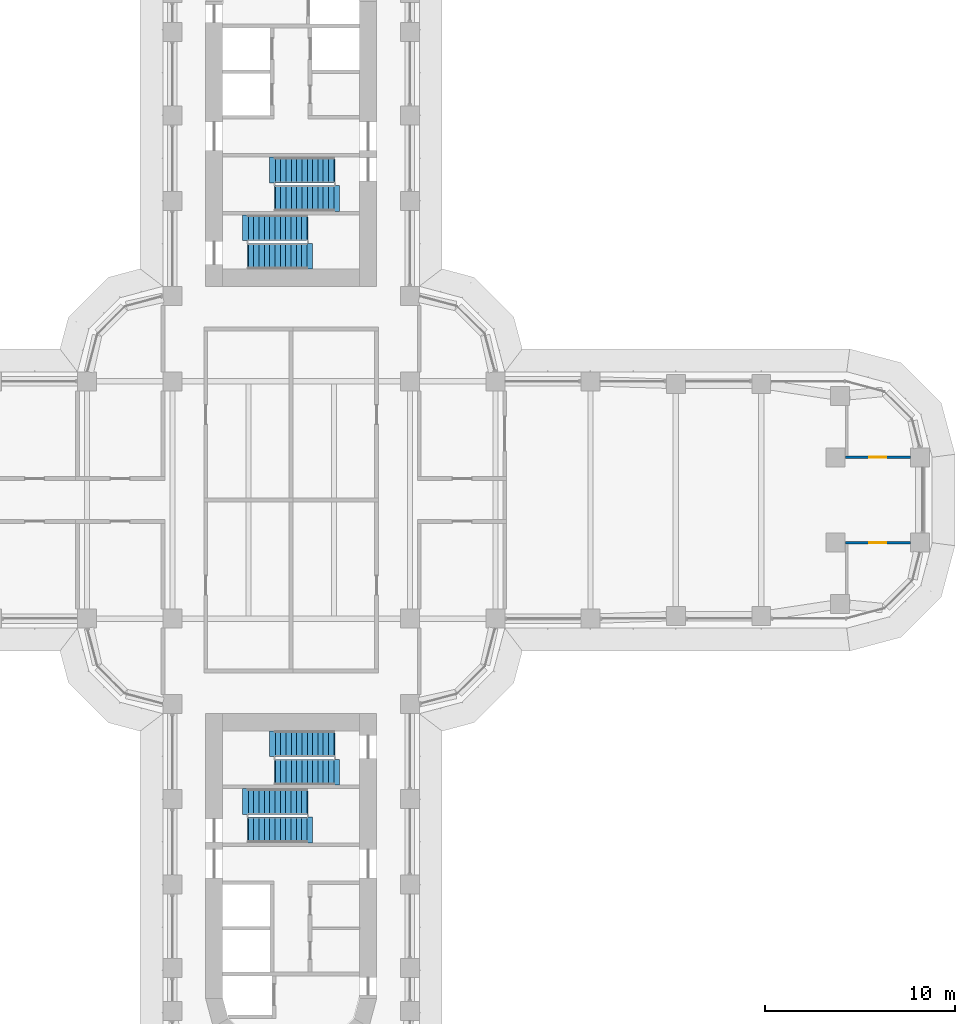
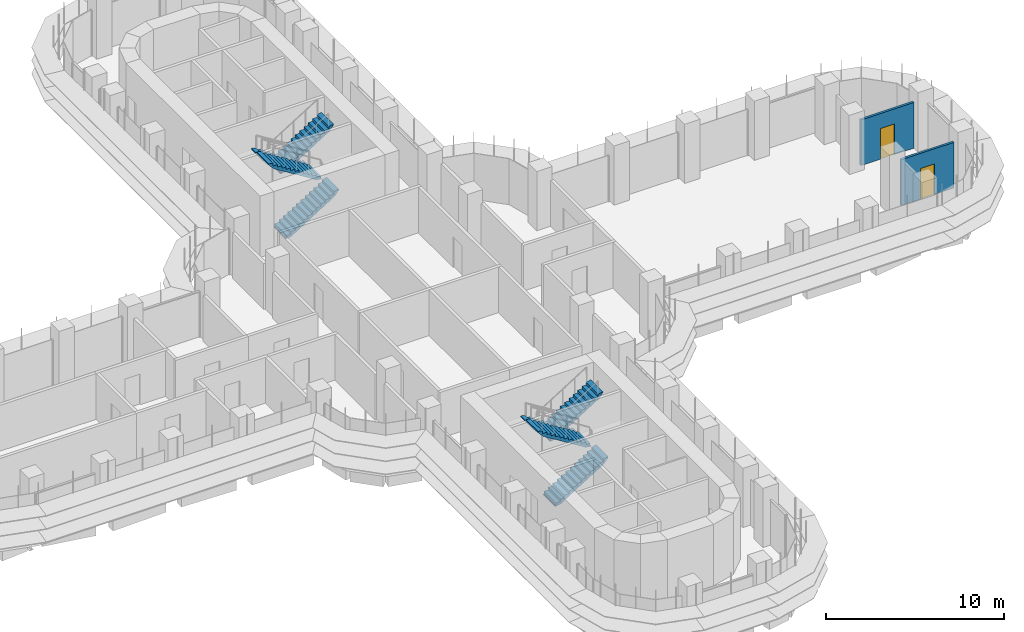
# One storey, part 19 of 23: 8 stair flights, 2 doors, 2 walls, 2 openings, 4 elements without a shape of their own.
"""IFC4 building model written with IfcOpenShell, lengths in metres."""

from ifc_helpers import new_model, si_unit, direction, frame, frame_2d, origin, place, context, subcontext, project, spatial, polyline, rectangle, outline, extrude, material, layer, layer_set, type_object, element, fill, aggregate, save


model = new_model("IFC4")

# Units and contexts
model_context = context("Model", 3, precision=1e-05, world=origin(), true_north=direction((0.0, 1.0)))
body_context = subcontext(model_context, "Body", "Model", "MODEL_VIEW")
ifc_project = project(units=[si_unit("LENGTHUNIT", "METRE"), si_unit("AREAUNIT", "SQUARE_METRE"), si_unit("VOLUMEUNIT", "CUBIC_METRE"), si_unit("PLANEANGLEUNIT", "RADIAN"), si_unit("MASSUNIT", "GRAM", prefix="KILO")], contexts=[model_context])

# Site, building, storey
site_placement = place(None, origin())
site = spatial("IfcSite", under=ifc_project, at=site_placement, CompositionType="ELEMENT")
building_placement = place(site_placement, origin())
building = spatial("IfcBuilding", under=site, at=building_placement, Name="Zarbagh Exchange Tower", CompositionType="ELEMENT")
storey_placement = place(building_placement, frame((0.0, 0.0, 64.800048828125)))
storey = spatial("IfcBuildingStorey", under=building, at=storey_placement, Name="L14", CompositionType="ELEMENT", Elevation=64.800048828125)

# Wall, opening, door
ifc_material_1 = material(Name="Plasterboard partition")
ifc_layer = layer(ifc_material_1, 0.14990234375)
ifc_layer_set = layer_set([ifc_layer], Name="PARTITION 150")
wall_type = type_object("IfcWallType", Name="PARTITION 150", PredefinedType="PARTITIONING", material=ifc_layer_set)
wall_1_placement = place(storey_placement, frame((29.175048828125, 2.25, 0.0), z_axis=(0.0, 0.0, 1.0), x_axis=(1.0, 0.0, 0.0)))
wall_1 = element("IfcWall", 1, at=wall_1_placement, inside=storey, type_object=wall_type, Name="Partition W-427", PredefinedType="PARTITIONING", context=body_context, shape_type="SweptSolid", body=[
    extrude(rectangle(XDim=3.43505859375, YDim=0.14990234375, at=frame_2d((1.717529296875, 0.0))), origin(), (0.0, 0.0, 1.0), 3.13037109375),
])
opening_1_placement = place(wall_1_placement, frame((1.267578125, 0.0, 0.0)))
opening_1 = element("IfcOpeningElement", 2, at=opening_1_placement, cuts=wall_1, Name="Opening D-405", PredefinedType="OPENING", context=body_context, shape_type="SweptSolid", body=[
    extrude(rectangle(XDim=0.89990234375, YDim=2.10009765625, at=frame_2d((0.449951171875, 1.050048828125))), frame((0.0, 0.0849609375, 0.0), z_axis=(0.0, -1.0, 0.0), x_axis=(1.0, 0.0, 0.0)), (0.0, 0.0, 1.0), 0.169921875),
])
ifc_material_2 = material(Name="Timber door leaf", Category="wood")
door_type = type_object("IfcDoorType", Name="DOOR 900 X 2100", OperationType="NOTDEFINED", PredefinedType="DOOR", material=ifc_material_2)
door_1_placement = place(opening_1_placement, origin())
door_1 = element("IfcDoor", 3, at=door_1_placement, inside=storey, type_object=door_type, Name="Door D-405", OperationType="SINGLE_SWING_LEFT", OverallHeight=2.10009765625, OverallWidth=0.89990234375, PredefinedType="DOOR", context=body_context, shape_type="SweptSolid", body=[
    extrude(rectangle(XDim=0.89990234375, YDim=2.10009765625, at=frame_2d((0.449951171875, 1.050048828125))), frame((0.0, 0.02490234375, 0.0), z_axis=(0.0, -1.0, 0.0), x_axis=(1.0, 0.0, 0.0)), (0.0, 0.0, 1.0), 0.050048828125),
])
fill(opening_1, door_1)

wall_2_placement = place(storey_placement, frame((32.610107421875, -2.25, 0.0), z_axis=(0.0, 0.0, 1.0), x_axis=(-1.0, 0.0, 0.0)))
wall_2 = element("IfcWall", 4, at=wall_2_placement, inside=storey, type_object=wall_type, Name="Partition W-428", PredefinedType="PARTITIONING", context=body_context, shape_type="SweptSolid", body=[
    extrude(rectangle(XDim=3.43505859375, YDim=0.14990234375, at=frame_2d((1.717529296875, 0.0))), origin(), (0.0, 0.0, 1.0), 3.13037109375),
])
opening_2_placement = place(wall_2_placement, frame((1.267578125, 0.0, 0.0)))
opening_2 = element("IfcOpeningElement", 5, at=opening_2_placement, cuts=wall_2, Name="Opening D-406", PredefinedType="OPENING", context=body_context, shape_type="SweptSolid", body=[
    extrude(rectangle(XDim=0.89990234375, YDim=2.10009765625, at=frame_2d((0.449951171875, 1.050048828125))), frame((0.0, 0.0849609375, 0.0), z_axis=(0.0, -1.0, 0.0), x_axis=(1.0, 0.0, 0.0)), (0.0, 0.0, 1.0), 0.169921875),
])
door_2_placement = place(opening_2_placement, origin())
door_2 = element("IfcDoor", 6, at=door_2_placement, inside=storey, type_object=door_type, Name="Door D-406", OperationType="SINGLE_SWING_RIGHT", OverallHeight=2.10009765625, OverallWidth=0.89990234375, PredefinedType="DOOR", context=body_context, shape_type="SweptSolid", body=[
    extrude(rectangle(XDim=0.89990234375, YDim=2.10009765625, at=frame_2d((0.449951171875, 1.050048828125))), frame((0.0, 0.02490234375, 0.0), z_axis=(0.0, -1.0, 0.0), x_axis=(1.0, 0.0, 0.0)), (0.0, 0.0, 1.0), 0.050048828125),
])
fill(opening_2, door_2)

# Stair, stair flights
ifc_material_3 = material(Name="Concrete C40/50", Category="concrete")
stair_type = type_object("IfcStairType", Name="Exit stair two-flight half-turn", PredefinedType="HALF_TURN_STAIR", material=ifc_material_3)
stair_1_placement = place(storey_placement, origin())
stair_1 = element("IfcStair", 7, at=stair_1_placement, inside=storey, type_object=stair_type, Name="exit stair ST1", PredefinedType="HALF_TURN_STAIR")
stair_flight_type = type_object("IfcStairFlightType", Name="Stair flight 1350 mm", PredefinedType="STRAIGHT", material=ifc_material_3)
stair_flight_1_placement = place(storey_placement, frame((2.25, 17.375, 0.0), z_axis=(0.0, 0.0, 1.0), x_axis=(-1.0, 0.0, 0.0)))
stair_flight_1 = element("IfcStairFlight", 8, at=stair_flight_1_placement, type_object=stair_flight_type, Name="ST1 flight 1", NumberOfRisers=12, NumberOfTreads=11, PredefinedType="STRAIGHT", RiserHeight=0.175, TreadLength=0.28, context=body_context, shape_type="SweptSolid", body=[
    extrude(outline(polyline([(-0.050048828125, -0.050048828125), (-0.050048828125, 0.0), (0.0, 0.0), (0.0, 0.175048828125), (0.280029296875, 0.175048828125), (0.280029296875, 0.35009765625), (0.56005859375, 0.35009765625), (0.56005859375, 0.52490234375), (0.840087890625, 0.52490234375), (0.840087890625, 0.699951171875), (1.1201171875, 0.699951171875), (1.1201171875, 0.875), (1.39990234375, 0.875), (1.39990234375, 1.050048828125), (1.679931640625, 1.050048828125), (1.679931640625, 1.22509765625), (1.9599609375, 1.22509765625), (1.9599609375, 1.39990234375), (2.239990234375, 1.39990234375), (2.239990234375, 1.574951171875), (2.52001953125, 1.574951171875), (2.52001953125, 1.75), (2.800048828125, 1.75), (2.800048828125, 1.925048828125), (3.080078125, 1.925048828125), (3.080078125, 2.10009765625), (3.3798828125, 2.179931640625), (3.3798828125, 2.10009765625), (3.080078125, 1.748291015625), (0.28271484375, 0.0), (-0.050048828125, -0.050048828125)])), frame((0.0, 0.675048828125, 0.0), z_axis=(0.0, -1.0, 0.0), x_axis=(1.0, 0.0, 0.0)), (0.0, 0.0, 1.0), 1.35009765625),
])
stair_flight_2_placement = place(storey_placement, frame((-0.830078125, 15.875, 2.099853515625), z_axis=(0.0, 0.0, 1.0), x_axis=(1.0, 0.0, 0.0)))
stair_flight_2 = element("IfcStairFlight", 9, at=stair_flight_2_placement, type_object=stair_flight_type, Name="ST1 flight 2", NumberOfRisers=12, NumberOfTreads=11, PredefinedType="STRAIGHT", RiserHeight=0.175, TreadLength=0.28, context=body_context, shape_type="SweptSolid", body=[
    extrude(outline(polyline([(-0.050048828125, -0.050048828125), (-0.050048828125, 0.0), (0.0, 0.0), (0.0, 0.175048828125), (0.280029296875, 0.175048828125), (0.280029296875, 0.35009765625), (0.56005859375, 0.35009765625), (0.56005859375, 0.52490234375), (0.840087890625, 0.52490234375), (0.840087890625, 0.699951171875), (1.1201171875, 0.699951171875), (1.1201171875, 0.875), (1.39990234375, 0.875), (1.39990234375, 1.050048828125), (1.679931640625, 1.050048828125), (1.679931640625, 1.22509765625), (1.9599609375, 1.22509765625), (1.9599609375, 1.39990234375), (2.239990234375, 1.39990234375), (2.239990234375, 1.574951171875), (2.52001953125, 1.574951171875), (2.52001953125, 1.75), (2.800048828125, 1.75), (2.800048828125, 1.925048828125), (3.080078125, 1.925048828125), (3.080078125, 2.10009765625), (3.3798828125, 2.179931640625), (3.3798828125, 2.10009765625), (3.080078125, 1.748291015625), (0.28271484375, 0.0), (-0.050048828125, -0.050048828125)])), frame((0.0, 0.675048828125, 0.0), z_axis=(0.0, -1.0, 0.0), x_axis=(1.0, 0.0, 0.0)), (0.0, 0.0, 1.0), 1.35009765625),
])
aggregate(stair_1, [stair_flight_1, stair_flight_2])

stair_2_placement = place(storey_placement, origin())
stair_2 = element("IfcStair", 10, at=stair_2_placement, inside=storey, type_object=stair_type, Name="exit stair ST2", PredefinedType="HALF_TURN_STAIR")
stair_flight_3_placement = place(storey_placement, frame((-2.25, 12.824951171875, 0.0), z_axis=(0.0, 0.0, 1.0), x_axis=(1.0, 0.0, 0.0)))
stair_flight_3 = element("IfcStairFlight", 11, at=stair_flight_3_placement, type_object=stair_flight_type, Name="ST2 flight 1", NumberOfRisers=12, NumberOfTreads=11, PredefinedType="STRAIGHT", RiserHeight=0.175, TreadLength=0.28, context=body_context, shape_type="SweptSolid", body=[
    extrude(outline(polyline([(-0.050048828125, -0.050048828125), (-0.050048828125, 0.0), (0.0, 0.0), (0.0, 0.175048828125), (0.280029296875, 0.175048828125), (0.280029296875, 0.35009765625), (0.56005859375, 0.35009765625), (0.56005859375, 0.52490234375), (0.840087890625, 0.52490234375), (0.840087890625, 0.699951171875), (1.1201171875, 0.699951171875), (1.1201171875, 0.875), (1.39990234375, 0.875), (1.39990234375, 1.050048828125), (1.679931640625, 1.050048828125), (1.679931640625, 1.22509765625), (1.9599609375, 1.22509765625), (1.9599609375, 1.39990234375), (2.239990234375, 1.39990234375), (2.239990234375, 1.574951171875), (2.52001953125, 1.574951171875), (2.52001953125, 1.75), (2.800048828125, 1.75), (2.800048828125, 1.925048828125), (3.080078125, 1.925048828125), (3.080078125, 2.10009765625), (3.3798828125, 2.179931640625), (3.3798828125, 2.10009765625), (3.080078125, 1.748291015625), (0.28271484375, 0.0), (-0.050048828125, -0.050048828125)])), frame((0.0, 0.675048828125, 0.0), z_axis=(0.0, -1.0, 0.0), x_axis=(1.0, 0.0, 0.0)), (0.0, 0.0, 1.0), 1.35009765625),
])
stair_flight_4_placement = place(storey_placement, frame((0.830078125, 14.324951171875, 2.099853515625), z_axis=(0.0, 0.0, 1.0), x_axis=(-1.0, 0.0, 0.0)))
stair_flight_4 = element("IfcStairFlight", 12, at=stair_flight_4_placement, type_object=stair_flight_type, Name="ST2 flight 2", NumberOfRisers=12, NumberOfTreads=11, PredefinedType="STRAIGHT", RiserHeight=0.175, TreadLength=0.28, context=body_context, shape_type="SweptSolid", body=[
    extrude(outline(polyline([(-0.050048828125, -0.050048828125), (-0.050048828125, 0.0), (0.0, 0.0), (0.0, 0.175048828125), (0.280029296875, 0.175048828125), (0.280029296875, 0.35009765625), (0.56005859375, 0.35009765625), (0.56005859375, 0.52490234375), (0.840087890625, 0.52490234375), (0.840087890625, 0.699951171875), (1.1201171875, 0.699951171875), (1.1201171875, 0.875), (1.39990234375, 0.875), (1.39990234375, 1.050048828125), (1.679931640625, 1.050048828125), (1.679931640625, 1.22509765625), (1.9599609375, 1.22509765625), (1.9599609375, 1.39990234375), (2.239990234375, 1.39990234375), (2.239990234375, 1.574951171875), (2.52001953125, 1.574951171875), (2.52001953125, 1.75), (2.800048828125, 1.75), (2.800048828125, 1.925048828125), (3.080078125, 1.925048828125), (3.080078125, 2.10009765625), (3.3798828125, 2.179931640625), (3.3798828125, 2.10009765625), (3.080078125, 1.748291015625), (0.28271484375, 0.0), (-0.050048828125, -0.050048828125)])), frame((0.0, 0.675048828125, 0.0), z_axis=(0.0, -1.0, 0.0), x_axis=(1.0, 0.0, 0.0)), (0.0, 0.0, 1.0), 1.35009765625),
])
aggregate(stair_2, [stair_flight_3, stair_flight_4])

stair_3_placement = place(storey_placement, origin())
stair_3 = element("IfcStair", 13, at=stair_3_placement, inside=storey, type_object=stair_type, Name="exit stair ST3", PredefinedType="HALF_TURN_STAIR")
stair_flight_5_placement = place(storey_placement, frame((-2.25, -17.375, 0.0), z_axis=(0.0, 0.0, 1.0), x_axis=(1.0, 0.0, 0.0)))
stair_flight_5 = element("IfcStairFlight", 14, at=stair_flight_5_placement, type_object=stair_flight_type, Name="ST3 flight 1", NumberOfRisers=12, NumberOfTreads=11, PredefinedType="STRAIGHT", RiserHeight=0.175, TreadLength=0.28, context=body_context, shape_type="SweptSolid", body=[
    extrude(outline(polyline([(-0.050048828125, -0.050048828125), (-0.050048828125, 0.0), (0.0, 0.0), (0.0, 0.175048828125), (0.280029296875, 0.175048828125), (0.280029296875, 0.35009765625), (0.56005859375, 0.35009765625), (0.56005859375, 0.52490234375), (0.840087890625, 0.52490234375), (0.840087890625, 0.699951171875), (1.1201171875, 0.699951171875), (1.1201171875, 0.875), (1.39990234375, 0.875), (1.39990234375, 1.050048828125), (1.679931640625, 1.050048828125), (1.679931640625, 1.22509765625), (1.9599609375, 1.22509765625), (1.9599609375, 1.39990234375), (2.239990234375, 1.39990234375), (2.239990234375, 1.574951171875), (2.52001953125, 1.574951171875), (2.52001953125, 1.75), (2.800048828125, 1.75), (2.800048828125, 1.925048828125), (3.080078125, 1.925048828125), (3.080078125, 2.10009765625), (3.3798828125, 2.179931640625), (3.3798828125, 2.10009765625), (3.080078125, 1.748291015625), (0.28271484375, 0.0), (-0.050048828125, -0.050048828125)])), frame((0.0, 0.675048828125, 0.0), z_axis=(0.0, -1.0, 0.0), x_axis=(1.0, 0.0, 0.0)), (0.0, 0.0, 1.0), 1.35009765625),
])
stair_flight_6_placement = place(storey_placement, frame((0.830078125, -15.875, 2.099853515625), z_axis=(0.0, 0.0, 1.0), x_axis=(-1.0, 0.0, 0.0)))
stair_flight_6 = element("IfcStairFlight", 15, at=stair_flight_6_placement, type_object=stair_flight_type, Name="ST3 flight 2", NumberOfRisers=12, NumberOfTreads=11, PredefinedType="STRAIGHT", RiserHeight=0.175, TreadLength=0.28, context=body_context, shape_type="SweptSolid", body=[
    extrude(outline(polyline([(-0.050048828125, -0.050048828125), (-0.050048828125, 0.0), (0.0, 0.0), (0.0, 0.175048828125), (0.280029296875, 0.175048828125), (0.280029296875, 0.35009765625), (0.56005859375, 0.35009765625), (0.56005859375, 0.52490234375), (0.840087890625, 0.52490234375), (0.840087890625, 0.699951171875), (1.1201171875, 0.699951171875), (1.1201171875, 0.875), (1.39990234375, 0.875), (1.39990234375, 1.050048828125), (1.679931640625, 1.050048828125), (1.679931640625, 1.22509765625), (1.9599609375, 1.22509765625), (1.9599609375, 1.39990234375), (2.239990234375, 1.39990234375), (2.239990234375, 1.574951171875), (2.52001953125, 1.574951171875), (2.52001953125, 1.75), (2.800048828125, 1.75), (2.800048828125, 1.925048828125), (3.080078125, 1.925048828125), (3.080078125, 2.10009765625), (3.3798828125, 2.179931640625), (3.3798828125, 2.10009765625), (3.080078125, 1.748291015625), (0.28271484375, 0.0), (-0.050048828125, -0.050048828125)])), frame((0.0, 0.675048828125, 0.0), z_axis=(0.0, -1.0, 0.0), x_axis=(1.0, 0.0, 0.0)), (0.0, 0.0, 1.0), 1.35009765625),
])
aggregate(stair_3, [stair_flight_5, stair_flight_6])

stair_4_placement = place(storey_placement, origin())
stair_4 = element("IfcStair", 16, at=stair_4_placement, inside=storey, type_object=stair_type, Name="exit stair ST4", PredefinedType="HALF_TURN_STAIR")
stair_flight_7_placement = place(storey_placement, frame((2.25, -12.824951171875, 0.0), z_axis=(0.0, 0.0, 1.0), x_axis=(-1.0, 0.0, 0.0)))
stair_flight_7 = element("IfcStairFlight", 17, at=stair_flight_7_placement, type_object=stair_flight_type, Name="ST4 flight 1", NumberOfRisers=12, NumberOfTreads=11, PredefinedType="STRAIGHT", RiserHeight=0.175, TreadLength=0.28, context=body_context, shape_type="SweptSolid", body=[
    extrude(outline(polyline([(-0.050048828125, -0.050048828125), (-0.050048828125, 0.0), (0.0, 0.0), (0.0, 0.175048828125), (0.280029296875, 0.175048828125), (0.280029296875, 0.35009765625), (0.56005859375, 0.35009765625), (0.56005859375, 0.52490234375), (0.840087890625, 0.52490234375), (0.840087890625, 0.699951171875), (1.1201171875, 0.699951171875), (1.1201171875, 0.875), (1.39990234375, 0.875), (1.39990234375, 1.050048828125), (1.679931640625, 1.050048828125), (1.679931640625, 1.22509765625), (1.9599609375, 1.22509765625), (1.9599609375, 1.39990234375), (2.239990234375, 1.39990234375), (2.239990234375, 1.574951171875), (2.52001953125, 1.574951171875), (2.52001953125, 1.75), (2.800048828125, 1.75), (2.800048828125, 1.925048828125), (3.080078125, 1.925048828125), (3.080078125, 2.10009765625), (3.3798828125, 2.179931640625), (3.3798828125, 2.10009765625), (3.080078125, 1.748291015625), (0.28271484375, 0.0), (-0.050048828125, -0.050048828125)])), frame((0.0, 0.675048828125, 0.0), z_axis=(0.0, -1.0, 0.0), x_axis=(1.0, 0.0, 0.0)), (0.0, 0.0, 1.0), 1.35009765625),
])
stair_flight_8_placement = place(storey_placement, frame((-0.830078125, -14.324951171875, 2.099853515625), z_axis=(0.0, 0.0, 1.0), x_axis=(1.0, 0.0, 0.0)))
stair_flight_8 = element("IfcStairFlight", 18, at=stair_flight_8_placement, type_object=stair_flight_type, Name="ST4 flight 2", NumberOfRisers=12, NumberOfTreads=11, PredefinedType="STRAIGHT", RiserHeight=0.175, TreadLength=0.28, context=body_context, shape_type="SweptSolid", body=[
    extrude(outline(polyline([(-0.050048828125, -0.050048828125), (-0.050048828125, 0.0), (0.0, 0.0), (0.0, 0.175048828125), (0.280029296875, 0.175048828125), (0.280029296875, 0.35009765625), (0.56005859375, 0.35009765625), (0.56005859375, 0.52490234375), (0.840087890625, 0.52490234375), (0.840087890625, 0.699951171875), (1.1201171875, 0.699951171875), (1.1201171875, 0.875), (1.39990234375, 0.875), (1.39990234375, 1.050048828125), (1.679931640625, 1.050048828125), (1.679931640625, 1.22509765625), (1.9599609375, 1.22509765625), (1.9599609375, 1.39990234375), (2.239990234375, 1.39990234375), (2.239990234375, 1.574951171875), (2.52001953125, 1.574951171875), (2.52001953125, 1.75), (2.800048828125, 1.75), (2.800048828125, 1.925048828125), (3.080078125, 1.925048828125), (3.080078125, 2.10009765625), (3.3798828125, 2.179931640625), (3.3798828125, 2.10009765625), (3.080078125, 1.748291015625), (0.28271484375, 0.0), (-0.050048828125, -0.050048828125)])), frame((0.0, 0.675048828125, 0.0), z_axis=(0.0, -1.0, 0.0), x_axis=(1.0, 0.0, 0.0)), (0.0, 0.0, 1.0), 1.35009765625),
])
aggregate(stair_4, [stair_flight_7, stair_flight_8])

save(model, "model.ifc")
